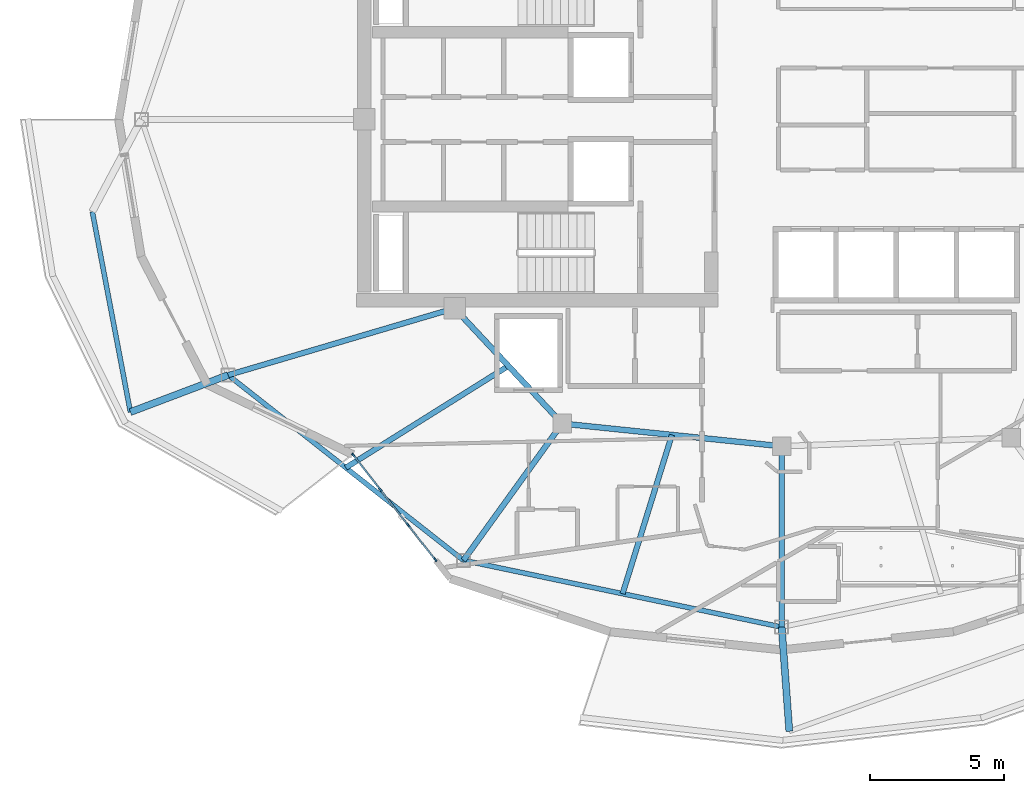
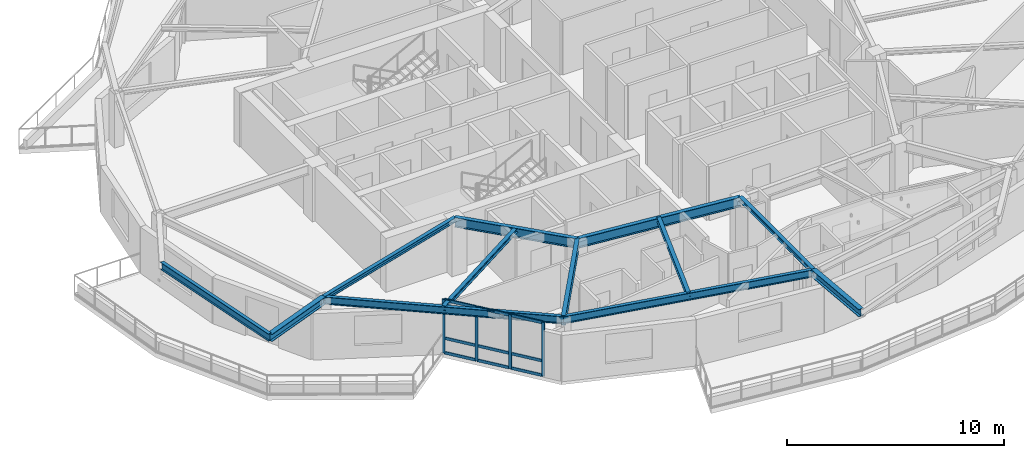
# One storey, part 2 of 21: 13 members, 12 beams, 1 element without a shape of its own.
"""IFC4 building model written with IfcOpenShell, lengths in metres."""

from ifc_helpers import new_model, si_unit, direction, frame, origin, origin_2d, place, context, subcontext, project, spatial, rectangle, i_section, extrude, material, layer, layer_set, material_profile, profile_set, type_object, element, aggregate, save


model = new_model("IFC4")

# Units and contexts
model_context = context("Model", 3, precision=1e-05, world=origin(), true_north=direction((0.0, 1.0)))
body_context = subcontext(model_context, "Body", "Model", "MODEL_VIEW")
ifc_project = project(units=[si_unit("LENGTHUNIT", "METRE"), si_unit("AREAUNIT", "SQUARE_METRE"), si_unit("VOLUMEUNIT", "CUBIC_METRE"), si_unit("PLANEANGLEUNIT", "RADIAN"), si_unit("MASSUNIT", "GRAM", prefix="KILO")], contexts=[model_context])

# Site, building, storey
site_placement = place(None, origin())
site = spatial("IfcSite", under=ifc_project, at=site_placement, CompositionType="ELEMENT")
building_placement = place(site_placement, origin())
building = spatial("IfcBuilding", under=site, at=building_placement, Name="Kolvaren Gate Tower and Convention Centre", CompositionType="ELEMENT")
storey_placement = place(building_placement, frame((0.0, 0.0, 226.10009765625)))
storey = spatial("IfcBuildingStorey", under=building, at=storey_placement, Name="L60", CompositionType="ELEMENT", Elevation=226.10009765625)

# Curtain wall, members
ifc_material_1 = material(Name="Anodized Architectural Aluminium Alloy 6063-T6", Category="aluminium")
ifc_layer = layer(ifc_material_1, 0.159912109375)
ifc_layer_set = layer_set([ifc_layer], Name="Anodized Architectural Aluminium Alloy 6063-T6")
curtain_wall_type = type_object("IfcCurtainWallType", Name="CW-RES-UNIT", PredefinedType="NOTDEFINED", material=ifc_layer_set)
curtain_wall_placement = place(storey_placement, origin())
curtain_wall = element("IfcCurtainWall", 1, at=curtain_wall_placement, inside=storey, type_object=curtain_wall_type, Name="Tower L60 Unitised Curtain Wall CW-RES-UNIT Bay 15", PredefinedType="NOTDEFINED")
ifc_material_profile_1 = material_profile(ifc_material_1, rectangle(XDim=0.06494140625, YDim=0.159912109375, at=origin_2d()), Name="CW-MEM-MUL-160")
ifc_profile_set_1 = profile_set([ifc_material_profile_1], Name="Anodized Architectural Aluminium Alloy 6063-T6")
member_type_1 = type_object("IfcMemberType", Name="CW-MEM-MUL-160", PredefinedType="MULLION", material=ifc_profile_set_1)
member_1_placement = place(storey_placement, frame((14.137451171875, 14.467041015625, 0.0), z_axis=(0.0, 0.0, 1.0), x_axis=(0.787409932974, 0.616429718179, 0.0)))
member_1 = element("IfcMember", 2, at=member_1_placement, type_object=member_type_1, Name="CW-04 mullion 1", PredefinedType="MULLION", context=body_context, shape_type="SweptSolid", body=[
    extrude(rectangle(XDim=0.06494140625, YDim=0.159912109375, at=origin_2d()), origin(), (0.0, 0.0, 1.0), 3.02978515625),
])
member_2_placement = place(storey_placement, frame((15.1484375, 13.17578125, 0.0), z_axis=(0.0, 0.0, 1.0), x_axis=(0.787409932974, 0.616429718179, 0.0)))
member_2 = element("IfcMember", 3, at=member_2_placement, type_object=member_type_1, Name="CW-04 mullion 2", PredefinedType="MULLION", context=body_context, shape_type="SweptSolid", body=[
    extrude(rectangle(XDim=0.06494140625, YDim=0.159912109375, at=origin_2d()), origin(), (0.0, 0.0, 1.0), 3.02978515625),
])
member_3_placement = place(storey_placement, frame((16.17919921875, 11.859130859375, 0.0), z_axis=(0.0, 0.0, 1.0), x_axis=(0.787409932974, 0.616429718179, 0.0)))
member_3 = element("IfcMember", 4, at=member_3_placement, type_object=member_type_1, Name="CW-04 mullion 3", PredefinedType="MULLION", context=body_context, shape_type="SweptSolid", body=[
    extrude(rectangle(XDim=0.06494140625, YDim=0.159912109375, at=origin_2d()), origin(), (0.0, 0.0, 1.0), 3.02978515625),
])
member_4_placement = place(storey_placement, frame((17.190185546875, 10.56787109375, 0.0), z_axis=(0.0, 0.0, 1.0), x_axis=(0.787409932974, 0.616429718179, 0.0)))
member_4 = element("IfcMember", 5, at=member_4_placement, type_object=member_type_1, Name="CW-04 mullion 4", PredefinedType="MULLION", context=body_context, shape_type="SweptSolid", body=[
    extrude(rectangle(XDim=0.06494140625, YDim=0.159912109375, at=origin_2d()), origin(), (0.0, 0.0, 1.0), 3.02978515625),
])
ifc_material_profile_2 = material_profile(ifc_material_1, rectangle(XDim=0.06494140625, YDim=0.159912109375, at=origin_2d()), Name="CW-MEM-TRN-160")
ifc_profile_set_2 = profile_set([ifc_material_profile_2], Name="Anodized Architectural Aluminium Alloy 6063-T6")
member_type_2 = type_object("IfcMemberType", Name="CW-MEM-TRN-160", PredefinedType="USERDEFINED", material=ifc_profile_set_2)
member_5_placement = place(storey_placement, frame((14.157470703125, 14.44140625, 0.032470703125), z_axis=(0.616513055725, -0.787344684443, 0.0), x_axis=(0.787344684443, 0.616513055725, 0.0)))
member_5 = element("IfcMember", 6, at=member_5_placement, type_object=member_type_2, Name="CW-04 transom 1.1", ObjectType="TRANSOM", PredefinedType="USERDEFINED", context=body_context, shape_type="SweptSolid", body=[
    extrude(rectangle(XDim=0.06494140625, YDim=0.159912109375, at=origin_2d()), origin(), (0.0, 0.0, 1.0), 1.574951171875),
])
member_6_placement = place(storey_placement, frame((14.157470703125, 14.44140625, 0.849853515625), z_axis=(0.616513055725, -0.787344684443, 0.0), x_axis=(0.787344684443, 0.616513055725, 0.0)))
member_6 = element("IfcMember", 7, at=member_6_placement, type_object=member_type_2, Name="CW-04 transom 1.2", ObjectType="TRANSOM", PredefinedType="USERDEFINED", context=body_context, shape_type="SweptSolid", body=[
    extrude(rectangle(XDim=0.06494140625, YDim=0.159912109375, at=origin_2d()), origin(), (0.0, 0.0, 1.0), 1.574951171875),
])
member_7_placement = place(storey_placement, frame((14.157470703125, 14.44140625, 2.997314453125), z_axis=(0.616513055725, -0.787344684443, 0.0), x_axis=(0.787344684443, 0.616513055725, 0.0)))
member_7 = element("IfcMember", 8, at=member_7_placement, type_object=member_type_2, Name="CW-04 transom 1.3", ObjectType="TRANSOM", PredefinedType="USERDEFINED", context=body_context, shape_type="SweptSolid", body=[
    extrude(rectangle(XDim=0.06494140625, YDim=0.159912109375, at=origin_2d()), origin(), (0.0, 0.0, 1.0), 1.574951171875),
])
member_8_placement = place(storey_placement, frame((15.16845703125, 13.150390625, 0.032470703125), z_axis=(0.616398363045, -0.787434478567, 0.0), x_axis=(0.787434478567, 0.616398363045, 0.0)))
member_8 = element("IfcMember", 9, at=member_8_placement, type_object=member_type_2, Name="CW-04 transom 2.1", ObjectType="TRANSOM", PredefinedType="USERDEFINED", context=body_context, shape_type="SweptSolid", body=[
    extrude(rectangle(XDim=0.06494140625, YDim=0.159912109375, at=origin_2d()), origin(), (0.0, 0.0, 1.0), 1.607177734375),
])
member_9_placement = place(storey_placement, frame((15.16845703125, 13.150390625, 0.849853515625), z_axis=(0.616398363045, -0.787434478567, 0.0), x_axis=(0.787434478567, 0.616398363045, 0.0)))
member_9 = element("IfcMember", 10, at=member_9_placement, type_object=member_type_2, Name="CW-04 transom 2.2", ObjectType="TRANSOM", PredefinedType="USERDEFINED", context=body_context, shape_type="SweptSolid", body=[
    extrude(rectangle(XDim=0.06494140625, YDim=0.159912109375, at=origin_2d()), origin(), (0.0, 0.0, 1.0), 1.607177734375),
])
member_10_placement = place(storey_placement, frame((15.16845703125, 13.150390625, 2.997314453125), z_axis=(0.616398363045, -0.787434478567, 0.0), x_axis=(0.787434478567, 0.616398363045, 0.0)))
member_10 = element("IfcMember", 11, at=member_10_placement, type_object=member_type_2, Name="CW-04 transom 2.3", ObjectType="TRANSOM", PredefinedType="USERDEFINED", context=body_context, shape_type="SweptSolid", body=[
    extrude(rectangle(XDim=0.06494140625, YDim=0.159912109375, at=origin_2d()), origin(), (0.0, 0.0, 1.0), 1.607177734375),
])
member_11_placement = place(storey_placement, frame((16.19921875, 11.83349609375, 0.032470703125), z_axis=(0.616416943475, -0.787419933579, 0.0), x_axis=(0.787419933579, 0.616416943475, 0.0)))
member_11 = element("IfcMember", 12, at=member_11_placement, type_object=member_type_2, Name="CW-04 transom 3.1", ObjectType="TRANSOM", PredefinedType="USERDEFINED", context=body_context, shape_type="SweptSolid", body=[
    extrude(rectangle(XDim=0.06494140625, YDim=0.159912109375, at=origin_2d()), origin(), (0.0, 0.0, 1.0), 1.57470703125),
])
member_12_placement = place(storey_placement, frame((16.19921875, 11.83349609375, 0.849853515625), z_axis=(0.616416943475, -0.787419933579, 0.0), x_axis=(0.787419933579, 0.616416943475, 0.0)))
member_12 = element("IfcMember", 13, at=member_12_placement, type_object=member_type_2, Name="CW-04 transom 3.2", ObjectType="TRANSOM", PredefinedType="USERDEFINED", context=body_context, shape_type="SweptSolid", body=[
    extrude(rectangle(XDim=0.06494140625, YDim=0.159912109375, at=origin_2d()), origin(), (0.0, 0.0, 1.0), 1.57470703125),
])
member_13_placement = place(storey_placement, frame((16.19921875, 11.83349609375, 2.997314453125), z_axis=(0.616416943475, -0.787419933579, 0.0), x_axis=(0.787419933579, 0.616416943475, 0.0)))
member_13 = element("IfcMember", 14, at=member_13_placement, type_object=member_type_2, Name="CW-04 transom 3.3", ObjectType="TRANSOM", PredefinedType="USERDEFINED", context=body_context, shape_type="SweptSolid", body=[
    extrude(rectangle(XDim=0.06494140625, YDim=0.159912109375, at=origin_2d()), origin(), (0.0, 0.0, 1.0), 1.57470703125),
])
aggregate(curtain_wall, [member_1, member_2, member_3, member_4, member_5, member_6, member_7, member_8, member_9, member_10, member_11, member_12, member_13])

# Beams
ifc_material_2 = material(Name="Structural steel ASTM A992 Grade 345 MPa", Category="steel")
ifc_material_profile_3 = material_profile(ifc_material_2, i_section(OverallWidth=0.260009765625, OverallDepth=0.419921875, WebThickness=0.013427734375, FlangeThickness=0.0224609375, at=origin_2d()), Name="W410X132")
ifc_profile_set_3 = profile_set([ifc_material_profile_3], Name="Structural steel ASTM A992 Grade 345 MPa")
beam_type_1 = type_object("IfcBeamType", Name="STR-BM-W410X132", PredefinedType="BEAM", material=ifc_profile_set_3)
for number, where, z_axis, x_axis, name in (
    (15, (9.462646484375, 17.456298828125, 2.8203125), (-0.935223524141, -0.354057848229, 0.0), (0.354057848229, -0.935223524141, 0.0), "Tower L61 Planted Balcony Outrigger Cantilever BC-2B"),
    (16, (30.125, 8.050048828125, 2.8203125), (0.073177618762, -0.997318923972, 0.0), (0.997318923972, 0.073177618762, 0.0), "Tower L61 Planted Balcony Outrigger Cantilever BC-3A"),
):
    element("IfcBeam", number, at=place(storey_placement, frame(where, z_axis=z_axis, x_axis=x_axis)), inside=storey, type_object=beam_type_1, Name=name, PredefinedType="BEAM", context=body_context, shape_type="SweptSolid", body=[
        extrude(i_section(OverallWidth=0.260009765625, OverallDepth=0.419921875, WebThickness=0.013427734375, FlangeThickness=0.0224609375, at=origin_2d()), origin(), (0.0, 0.0, 1.0), 3.900146484375),
    ])
ifc_material_profile_4 = material_profile(ifc_material_2, i_section(OverallWidth=0.2119140625, OverallDepth=0.5439453125, WebThickness=0.01318359375, FlangeThickness=0.021240234375, at=origin_2d()), Name="W530X123")
ifc_profile_set_4 = profile_set([ifc_material_profile_4], Name="Structural steel ASTM A992 Grade 345 MPa")
beam_type_2 = type_object("IfcBeamType", Name="STR-BM-W530X123", PredefinedType="BEAM", material=ifc_profile_set_4)
beam_1_placement = place(storey_placement, frame((17.9140625, 19.949951171875, 2.7578125), z_axis=(0.682557592987, -0.730831808459, 0.0), x_axis=(0.730831808459, 0.682557592987, 0.0)))
element("IfcBeam", 17, at=beam_1_placement, inside=storey, type_object=beam_type_2, Name="Tower L60 Primary Ring Girder G-06", PredefinedType="BEAM", context=body_context, shape_type="SweptSolid", body=[
    extrude(i_section(OverallWidth=0.2119140625, OverallDepth=0.5439453125, WebThickness=0.01318359375, FlangeThickness=0.021240234375, at=origin_2d()), origin(), (0.0, 0.0, 1.0), 5.88671875),
])
beam_2_placement = place(storey_placement, frame((21.93212890625, 15.647705078125, 2.7578125), z_axis=(0.994690329115, -0.102913308978, 0.0), x_axis=(0.102913308978, 0.994690329115, 0.0)))
element("IfcBeam", 18, at=beam_2_placement, inside=storey, type_object=beam_type_2, Name="Tower L60 Primary Ring Girder G-07", PredefinedType="BEAM", context=body_context, shape_type="SweptSolid", body=[
    extrude(i_section(OverallWidth=0.2119140625, OverallDepth=0.5439453125, WebThickness=0.01318359375, FlangeThickness=0.021240234375, at=origin_2d()), origin(), (0.0, 0.0, 1.0), 8.236572265625),
])
beam_3_placement = place(storey_placement, frame((21.93212890625, 15.647705078125, 2.7578125), z_axis=(-0.585214462319, -0.810878556316, 0.0), x_axis=(0.810878556316, -0.585214462319, 0.0)))
element("IfcBeam", 19, at=beam_3_placement, inside=storey, type_object=beam_type_2, Name="Tower L60 Radial Floor Girder RB-09", PredefinedType="BEAM", context=body_context, shape_type="SweptSolid", body=[
    extrude(i_section(OverallWidth=0.2119140625, OverallDepth=0.5439453125, WebThickness=0.01318359375, FlangeThickness=0.021240234375, at=origin_2d()), origin(), (0.0, 0.0, 1.0), 6.296630859375),
])
ifc_material_profile_5 = material_profile(ifc_material_2, i_section(OverallWidth=0.202880859375, OverallDepth=0.251953125, WebThickness=0.008056640625, FlangeThickness=0.013427734375, at=origin_2d()), Name="W250X58")
ifc_profile_set_5 = profile_set([ifc_material_profile_5], Name="Structural steel ASTM A992 Grade 345 MPa")
beam_type_3 = type_object("IfcBeamType", Name="STR-JS-W250X58", PredefinedType="JOIST", material=ifc_profile_set_5)
beam_4_placement = place(storey_placement, frame((17.9140625, 19.949951171875, 2.90380859375), z_axis=(-0.959121165581, -0.28299574155, 0.0), x_axis=(0.28299574155, -0.959121165581, 0.0)))
element("IfcBeam", 20, at=beam_4_placement, inside=storey, type_object=beam_type_3, Name="Tower L60 Radial Floor Girder RB-08", PredefinedType="JOIST", context=body_context, shape_type="SweptSolid", body=[
    extrude(i_section(OverallWidth=0.202880859375, OverallDepth=0.251953125, WebThickness=0.008056640625, FlangeThickness=0.013427734375, at=origin_2d()), origin(), (0.0, 0.0, 1.0), 8.8115234375),
])
beam_5_placement = place(storey_placement, frame((30.125, 14.800048828125, 2.90380859375), z_axis=(0.0, -1.0, 0.0), x_axis=(1.0, 0.0, 0.0)))
element("IfcBeam", 21, at=beam_5_placement, inside=storey, type_object=beam_type_3, Name="Tower L60 Radial Floor Girder RB-10", PredefinedType="JOIST", context=body_context, shape_type="SweptSolid", body=[
    extrude(i_section(OverallWidth=0.202880859375, OverallDepth=0.251953125, WebThickness=0.008056640625, FlangeThickness=0.013427734375, at=origin_2d()), origin(), (0.0, 0.0, 1.0), 6.75),
])
beam_6_placement = place(storey_placement, frame((19.923095703125, 17.798828125, 2.90380859375), z_axis=(-0.847559309278, -0.530700685186, 0.0), x_axis=(0.530700685186, -0.847559309278, 0.0)))
element("IfcBeam", 22, at=beam_6_placement, inside=storey, type_object=beam_type_3, Name="Tower L60 Secondary Composite Floor Joist J-08.1", PredefinedType="JOIST", context=body_context, shape_type="SweptSolid", body=[
    extrude(i_section(OverallWidth=0.202880859375, OverallDepth=0.251953125, WebThickness=0.008056640625, FlangeThickness=0.013427734375, at=origin_2d()), origin(), (0.0, 0.0, 1.0), 7.159423828125),
])
beam_7_placement = place(storey_placement, frame((26.028564453125, 15.223876953125, 2.90380859375), z_axis=(-0.296776485487, -0.954946971126, 0.0), x_axis=(0.954946971126, -0.296776485487, 0.0)))
element("IfcBeam", 23, at=beam_7_placement, inside=storey, type_object=beam_type_3, Name="Tower L60 Secondary Composite Floor Joist J-09.1", PredefinedType="JOIST", context=body_context, shape_type="SweptSolid", body=[
    extrude(i_section(OverallWidth=0.202880859375, OverallDepth=0.251953125, WebThickness=0.008056640625, FlangeThickness=0.013427734375, at=origin_2d()), origin(), (0.0, 0.0, 1.0), 6.207763671875),
])
ifc_material_profile_6 = material_profile(ifc_material_2, i_section(OverallWidth=0.180908203125, OverallDepth=0.4169921875, WebThickness=0.010986328125, FlangeThickness=0.018310546875, at=origin_2d()), Name="W410X85")
ifc_profile_set_6 = profile_set([ifc_material_profile_6], Name="Structural steel ASTM A992 Grade 345 MPa")
beam_type_4 = type_object("IfcBeamType", Name="STR-SP-W410X85", PredefinedType="SPANDREL", material=ifc_profile_set_6)
beam_8_placement = place(storey_placement, frame((9.462646484375, 17.456298828125, 2.8212890625), z_axis=(0.78579365551, -0.618488747643, 0.0), x_axis=(0.618488747643, 0.78579365551, 0.0)))
element("IfcBeam", 24, at=beam_8_placement, inside=storey, type_object=beam_type_4, Name="Tower L60 Perimeter Spandrel Beam SP-08", PredefinedType="SPANDREL", context=body_context, shape_type="SweptSolid", body=[
    extrude(i_section(OverallWidth=0.180908203125, OverallDepth=0.4169921875, WebThickness=0.010986328125, FlangeThickness=0.018310546875, at=origin_2d()), origin(), (0.0, 0.0, 1.0), 11.179443359375),
])
beam_9_placement = place(storey_placement, frame((18.247314453125, 10.5419921875, 2.8212890625), z_axis=(0.978692765917, -0.205330148645, 0.0), x_axis=(0.205330148645, 0.978692765917, 0.0)))
element("IfcBeam", 25, at=beam_9_placement, inside=storey, type_object=beam_type_4, Name="Tower L60 Perimeter Spandrel Beam SP-09", PredefinedType="SPANDREL", context=body_context, shape_type="SweptSolid", body=[
    extrude(i_section(OverallWidth=0.180908203125, OverallDepth=0.4169921875, WebThickness=0.010986328125, FlangeThickness=0.018310546875, at=origin_2d()), origin(), (0.0, 0.0, 1.0), 12.13623046875),
])
beam_10_placement = place(storey_placement, frame((4.393798828125, 23.556640625, 2.822021484375), z_axis=(0.186655385459, -0.982425451156, 0.0), x_axis=(0.982425451156, 0.186655385459, 0.0)))
element("IfcBeam", 26, at=beam_10_placement, inside=storey, type_object=beam_type_4, Name="Tower L61 Planted Balcony Header Tie Beam BT-2", PredefinedType="SPANDREL", context=body_context, shape_type="SweptSolid", body=[
    extrude(i_section(OverallWidth=0.180908203125, OverallDepth=0.4169921875, WebThickness=0.010986328125, FlangeThickness=0.018310546875, at=origin_2d()), origin(), (0.0, 0.0, 1.0), 7.614990234375),
])

save(model, "model.ifc")
